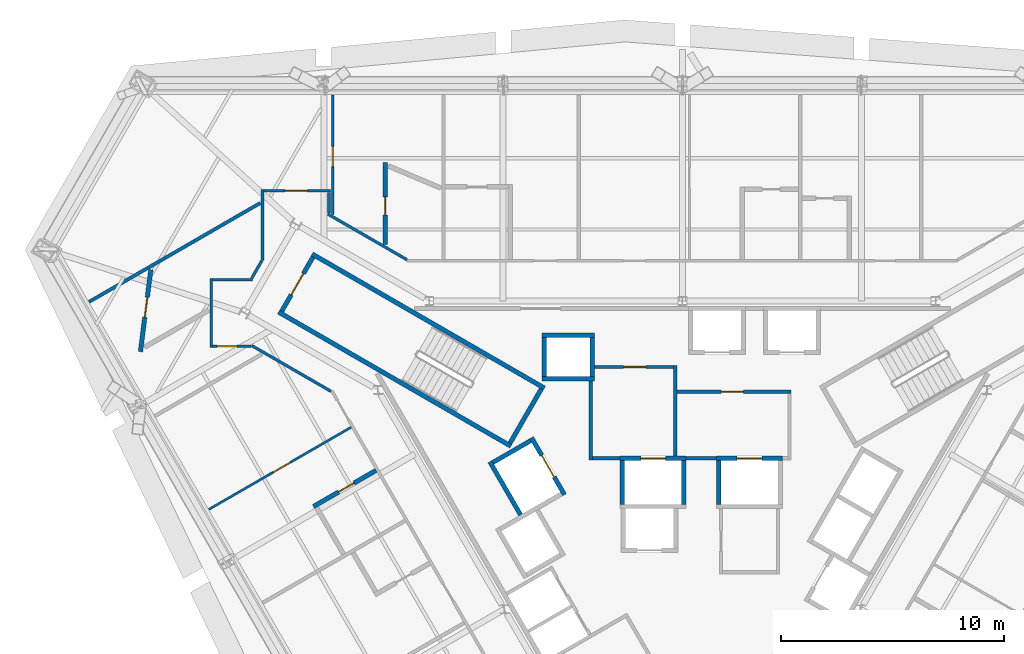
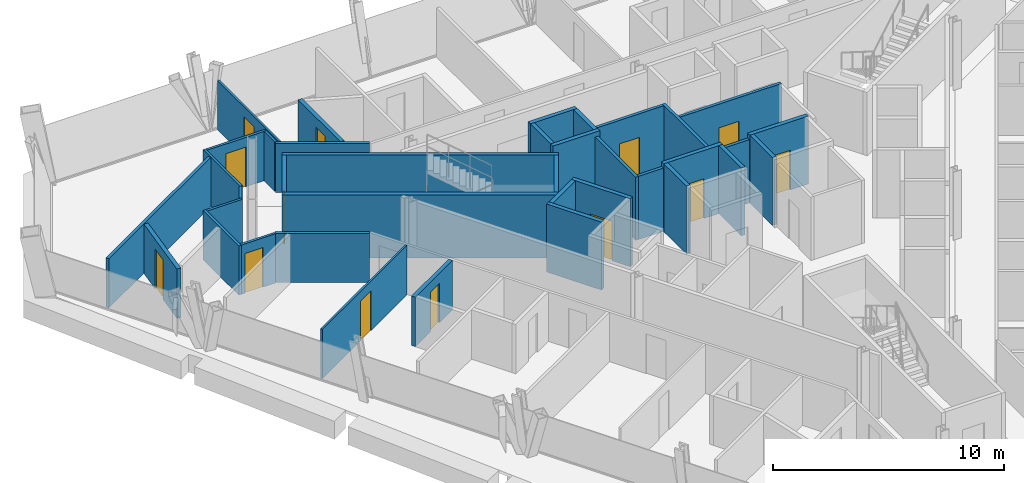
# One storey, part 11 of 15: 37 walls, 13 doors, 13 openings.
"""IFC4 building model written with IfcOpenShell, lengths in metres."""

import ifcopenshell
import ifcopenshell.guid

model = None  # the IFC model being written
_history = None  # IfcOwnerHistory: only IFC2X3 demands one
_inside = {}  # id of a spatial element -> (the spatial element, [elements in it])
_under = {}  # id of a project, library or spatial element -> (it, [spatial elements below it])
_declared = {}  # id of a project -> (the project, [libraries it declares])
_typed = {}  # id of a type object -> (the type object, [elements of that type])
_made_of = {}  # id of a material, layer set ... -> (it, [elements and type objects made of it])


def new_model(schema):
    """Start an empty IFC model of exactly this schema.

    Asked for "IFC4X3", IfcOpenShell would pick the latest addendum, in which some entities
    have other attributes; the version numbers below select the first issue.
    IFC2X3 requires an IfcOwnerHistory on every rooted entity: one is made here for all.
    """
    global model, _history
    if schema == "IFC4X3":
        model = ifcopenshell.file(schema_version=(4, 3, 0, 0))
    else:
        model = ifcopenshell.file(schema=schema)
    _inside.clear()
    _under.clear()
    _declared.clear()
    _typed.clear()
    _made_of.clear()
    _history = None
    if model.schema == "IFC2X3":
        org = make("IfcOrganization", Name="unknown")
        user = make(
            "IfcPersonAndOrganization",
            ThePerson=make("IfcPerson", FamilyName="unknown"),
            TheOrganization=org,
        )
        app = make(
            "IfcApplication",
            ApplicationDeveloper=org,
            Version="unknown",
            ApplicationFullName="unknown",
            ApplicationIdentifier="unknown",
        )
        _history = make(
            "IfcOwnerHistory",
            OwningUser=user,
            OwningApplication=app,
            ChangeAction="ADDED",
            CreationDate=0,
        )
    return model


def make(cls, **values):
    """One entity of the class cls with the attributes given. An attribute that is None is left unset."""
    return model.create_entity(
        cls, **{name: value for name, value in values.items() if value is not None}
    )


def rooted(cls, **values):
    """An entity with a GlobalId (a new one), such as an element, a storey or a relation."""
    return make(cls, GlobalId=ifcopenshell.guid.new(), OwnerHistory=_history, **values)


def si_unit(unit_type, name, prefix=None):
    """IfcSIUnit, for example si_unit("LENGTHUNIT", "METRE", prefix="MILLI")."""
    return make("IfcSIUnit", UnitType=unit_type, Prefix=prefix, Name=name)


def assignment(units):
    """IfcUnitAssignment: the units of a project."""
    return None if units is None else make("IfcUnitAssignment", Units=units)


def point(xyz):
    """IfcCartesianPoint."""
    return None if xyz is None else make("IfcCartesianPoint", Coordinates=xyz)


def direction(xyz):
    """IfcDirection."""
    return None if xyz is None else make("IfcDirection", DirectionRatios=xyz)


def frame(location, z_axis=None, x_axis=None):
    """IfcAxis2Placement3D, a coordinate frame: its origin and axes. An axis left out is left unset."""
    return make(
        "IfcAxis2Placement3D",
        Location=point(location),
        Axis=direction(z_axis),
        RefDirection=direction(x_axis),
    )


def frame_2d(location, x_axis=None):
    """IfcAxis2Placement2D, a coordinate frame in the plane: its origin and x axis."""
    return make(
        "IfcAxis2Placement2D", Location=point(location), RefDirection=direction(x_axis)
    )


def origin():
    """The frame at (0, 0, 0) with its axes left unset."""
    return frame((0.0, 0.0, 0.0))


def place(relative_to, where):
    """IfcLocalPlacement: puts the frame where relative to a parent placement (None: the world)."""
    return make(
        "IfcLocalPlacement", PlacementRelTo=relative_to, RelativePlacement=where
    )


def context(
    kind, dimensions, precision=None, world=None, true_north=None, identifier=None
):
    """IfcGeometricRepresentationContext, for example the 3D "Model" context."""
    return make(
        "IfcGeometricRepresentationContext",
        ContextIdentifier=identifier,
        ContextType=kind,
        CoordinateSpaceDimension=dimensions,
        Precision=precision,
        WorldCoordinateSystem=world,
        TrueNorth=true_north,
    )


def subcontext(parent, identifier, kind, view, scale=None):
    """IfcGeometricRepresentationSubContext, for example "Body" below "Model"."""
    return make(
        "IfcGeometricRepresentationSubContext",
        ContextIdentifier=identifier,
        ContextType=kind,
        ParentContext=parent,
        TargetScale=scale,
        TargetView=view,
    )


def project(units=None, contexts=None):
    """IfcProject with its units and contexts."""
    return rooted(
        "IfcProject",
        Name="project",
        RepresentationContexts=contexts,
        UnitsInContext=assignment(units),
    )


def spatial(cls, under=None, at=None, **own):
    """A site, building, storey or space (cls), placed at a placement, below another one or the project."""
    s = rooted(cls, ObjectPlacement=at, **own)
    if under is not None:
        _under.setdefault(under.id(), (under, []))[1].append(s)
    return s


def profile(cls, at=None, kind="AREA", **sizes):
    """A parametric profile (cls). Its sizes go by their IFC names, for example OverallWidth=200.0."""
    return make(cls, ProfileType=kind, Position=at, **sizes)


def rectangle(**sizes):
    """IfcRectangleProfileDef."""
    return profile("IfcRectangleProfileDef", **sizes)


def extrude(swept, where, along, depth):
    """IfcExtrudedAreaSolid: the profile swept, set in the frame where, extruded along a direction by depth."""
    return make(
        "IfcExtrudedAreaSolid",
        SweptArea=swept,
        Position=where,
        ExtrudedDirection=direction(along),
        Depth=depth,
    )


def shape(context_of_items, identifier, shape_type, items):
    """IfcShapeRepresentation: the items that make up one representation, for example the "Body"."""
    return make(
        "IfcShapeRepresentation",
        ContextOfItems=context_of_items,
        RepresentationIdentifier=identifier,
        RepresentationType=shape_type,
        Items=items,
    )


def material(Name=None, Category=None):
    """IfcMaterial."""
    return make("IfcMaterial", Name=Name, Category=Category)


def layer(
    of_material, thickness, ventilated=None, Name=None, Category=None, Priority=None
):
    """IfcMaterialLayer: one layer of a wall or slab, of a material (None: an air gap)."""
    return make(
        "IfcMaterialLayer",
        Material=of_material,
        LayerThickness=thickness,
        IsVentilated=ventilated,
        Name=Name,
        Category=Category,
        Priority=Priority,
    )


def layer_set(layers, Name=None):
    """IfcMaterialLayerSet."""
    return make("IfcMaterialLayerSet", MaterialLayers=layers, LayerSetName=Name)


def made_of(thing, what):
    """Note that an element or type object is made of a material, layer set ...; save() writes the relation."""
    if what is not None:
        _made_of.setdefault(what.id(), (what, []))[1].append(thing)
    return thing


def type_object(cls, material=None, **own):
    """A type object (cls), such as IfcWallType, which elements share."""
    return made_of(rooted(cls, **own), material)


def element(
    cls,
    number,
    at=None,
    inside=None,
    cuts=None,
    type_object=None,
    material=None,
    context=None,
    identifier="Body",
    shape_type=None,
    held_by="IfcProductDefinitionShape",
    body=None,
    shapes=None,
    **own,
):
    """One element of the class cls, such as IfcWall. Its Tag is "e" and its number.

    at: its placement. inside: the storey or other place that contains it. cuts: it is an
    opening in that element (IfcRelVoidsElement). A single representation is given by context,
    identifier, shape_type and body (its items); several are given by shapes. held_by: the class
    of the entity that holds the representations. save() writes the other relations.
    """
    e = rooted(cls, Tag="e%d" % number, ObjectPlacement=at, **own)
    if body is not None:
        shapes = [shape(context, identifier, shape_type, body)]
    if shapes is not None:
        e.Representation = make(held_by, Representations=shapes)
    if inside is not None:
        _inside.setdefault(inside.id(), (inside, []))[1].append(e)
    if cuts is not None:
        rooted(
            "IfcRelVoidsElement", RelatingBuildingElement=cuts, RelatedOpeningElement=e
        )
    if type_object is not None:
        _typed.setdefault(type_object.id(), (type_object, []))[1].append(e)
    return made_of(e, material)


def fill(opening, filler):
    """IfcRelFillsElement: the door or window that sits in an opening."""
    return rooted(
        "IfcRelFillsElement",
        RelatingOpeningElement=opening,
        RelatedBuildingElement=filler,
    )


def aggregate(whole, parts):
    """IfcRelAggregates: a whole, such as a stair, and the parts it consists of."""
    return rooted("IfcRelAggregates", RelatingObject=whole, RelatedObjects=parts)


def save(model, path):
    """Write the relations noted so far, then the file.

    IfcRelAggregates (storeys below a building ...), IfcRelContainedInSpatialStructure (elements
    in a storey), IfcRelDefinesByType, IfcRelAssociatesMaterial and IfcRelDeclares: one each for
    every whole, place, type object, material and project.
    """
    for whole, parts in _under.values():
        aggregate(whole, parts)
    for where, things in _inside.values():
        rooted(
            "IfcRelContainedInSpatialStructure",
            RelatedElements=things,
            RelatingStructure=where,
        )
    for kind, things in _typed.values():
        rooted("IfcRelDefinesByType", RelatedObjects=things, RelatingType=kind)
    for what, things in _made_of.values():
        rooted("IfcRelAssociatesMaterial", RelatedObjects=things, RelatingMaterial=what)
    for by, libraries in _declared.values():
        rooted("IfcRelDeclares", RelatingContext=by, RelatedDefinitions=libraries)
    model.write(path)


model = new_model("IFC4")

# Units and contexts
model_context = context("Model", 3, precision=1e-05, world=origin(), true_north=direction((0.0, 1.0)))
body_context = subcontext(model_context, "Body", "Model", "MODEL_VIEW")
ifc_project = project(units=[si_unit("LENGTHUNIT", "METRE"), si_unit("AREAUNIT", "SQUARE_METRE"), si_unit("VOLUMEUNIT", "CUBIC_METRE"), si_unit("PLANEANGLEUNIT", "RADIAN"), si_unit("MASSUNIT", "GRAM", prefix="KILO")], contexts=[model_context])

# Site, building, storey
site_placement = place(None, origin())
site = spatial("IfcSite", under=ifc_project, at=site_placement, CompositionType="ELEMENT")
building_placement = place(site_placement, origin())
building = spatial("IfcBuilding", under=site, at=building_placement, Name="Verrane Prism Tower", CompositionType="ELEMENT")
storey_placement = place(building_placement, frame((0.0, 0.0, 118.0)))
storey = spatial("IfcBuildingStorey", under=building, at=storey_placement, Name="L28", CompositionType="ELEMENT", Elevation=118.0)

# Wall, opening, door
ifc_material_1 = material(Name="Concrete C40/50", Category="concrete")
ifc_layer_1 = layer(ifc_material_1, 0.199951171875)
ifc_layer_set_1 = layer_set([ifc_layer_1], Name="CW-200 stair core wall concrete C40/50 3 h")
wall_type_1 = type_object("IfcWallType", Name="CW-200 stair core wall concrete C40/50 3 h", PredefinedType="PARTITIONING", material=ifc_layer_set_1)
wall_1_placement = place(storey_placement, frame((-16.533935546875, 11.162353515625, 0.0), z_axis=(0.0, 0.0, 1.0), x_axis=(-0.49998411664, -0.866034573852, 0.0)))
wall_1 = element("IfcWall", 1, at=wall_1_placement, inside=storey, type_object=wall_type_1, Name="Stair 2 enclosure wall", PredefinedType="PARTITIONING", context=body_context, shape_type="SweptSolid", body=[
    extrude(rectangle(XDim=2.7998046875, YDim=0.199951171875, at=frame_2d((1.39990234375, 0.0))), origin(), (0.0, 0.0, 1.0), 3.35009765625),
])
opening_1_placement = place(wall_1_placement, frame((0.849853515625, 0.0, 0.0)))
opening_1 = element("IfcOpeningElement", 2, at=opening_1_placement, cuts=wall_1, Name="Opening D27501", PredefinedType="OPENING", context=body_context, shape_type="SweptSolid", body=[
    extrude(rectangle(XDim=1.10009765625, YDim=2.10009765625, at=frame_2d((0.550048828125, 1.050048828125))), frame((0.0, 0.10986328125, 0.0), z_axis=(0.0, -1.0, 0.0), x_axis=(1.0, 0.0, 0.0)), (0.0, 0.0, 1.0), 0.219970703125),
])
ifc_material_2 = material(Name="Timber veneered door leaf", Category="wood")
door_type_1 = type_object("IfcDoorType", Name="DR-1100x2100 FD90 single leaf stair", OperationType="NOTDEFINED", PredefinedType="DOOR", material=ifc_material_2)
door_1_placement = place(opening_1_placement, origin())
door_1 = element("IfcDoor", 3, at=door_1_placement, inside=storey, type_object=door_type_1, Name="Stair 2 door", OperationType="SINGLE_SWING_RIGHT", OverallHeight=2.10009765625, OverallWidth=1.10009765625, PredefinedType="DOOR", context=body_context, shape_type="SweptSolid", body=[
    extrude(rectangle(XDim=1.10009765625, YDim=2.10009765625, at=frame_2d((0.550048828125, 1.050048828125))), frame((0.0, 0.02490234375, 0.0), z_axis=(0.0, -1.0, 0.0), x_axis=(1.0, 0.0, 0.0)), (0.0, 0.0, 1.0), 0.050048828125),
])
fill(opening_1, door_1)

# Walls
for number, where, z_axis, x_axis, name in (
    (4, (-7.67822265625, 2.700927734375, 0.0), (0.0, 0.0, 1.0), (-0.866026010844, 0.49999894854, 0.0), "Stair 2 enclosure wall"),
    (5, (-6.17822265625, 5.299072265625, 0.0), (0.0, 0.0, 1.0), (-0.866026010844, 0.49999894854, 0.0), "Stair 2 enclosure wall"),
):
    element("IfcWall", number, at=place(storey_placement, frame(where, z_axis=z_axis, x_axis=x_axis)), inside=storey, type_object=wall_type_1, Name=name, PredefinedType="PARTITIONING", context=body_context, shape_type="SweptSolid", body=[
        extrude(rectangle(XDim=12.0, YDim=0.199951171875, at=frame_2d((6.0, 0.0))), origin(), (0.0, 0.0, 1.0), 3.35009765625),
    ])
wall_2_placement = place(storey_placement, frame((-6.314697265625, 5.262451171875, 0.0), z_axis=(0.0, 0.0, 1.0), x_axis=(-0.500049511043, -0.865996816683, 0.0)))
element("IfcWall", 6, at=wall_2_placement, inside=storey, type_object=wall_type_1, Name="Stair 2 enclosure wall", PredefinedType="PARTITIONING", context=body_context, shape_type="SweptSolid", body=[
    extrude(rectangle(XDim=2.800048828125, YDim=0.199951171875, at=frame_2d((1.39990234375, 0.0))), origin(), (0.0, 0.0, 1.0), 3.35009765625),
])

# Wall, opening, door
ifc_material_3 = material(Name="Gypsum board shaft wall assembly", Category="other")
ifc_layer_2 = layer(ifc_material_3, 0.199951171875)
ifc_layer_set_2 = layer_set([ifc_layer_2], Name="HW-200 lift shaft wall 2 h")
wall_type_2 = type_object("IfcWallType", Name="HW-200 lift shaft wall 2 h", PredefinedType="PARTITIONING", material=ifc_layer_set_2)
wall_3_placement = place(storey_placement, frame((-2.784912109375, 2.14990234375, 0.0), z_axis=(0.0, 0.0, 1.0), x_axis=(1.0, 0.0, 0.0)))
wall_3 = element("IfcWall", 7, at=wall_3_placement, inside=storey, type_object=wall_type_2, Name="Lift shaft wall", PredefinedType="PARTITIONING", context=body_context, shape_type="SweptSolid", body=[
    extrude(rectangle(XDim=2.949951171875, YDim=0.199951171875, at=frame_2d((1.47509765625, 0.0))), origin(), (0.0, 0.0, 1.0), 3.60009765625),
])
opening_2_placement = place(wall_3_placement, frame((0.925048828125, 0.0, 0.0)))
opening_2 = element("IfcOpeningElement", 8, at=opening_2_placement, cuts=wall_3, Name="Opening D27508", PredefinedType="OPENING", context=body_context, shape_type="SweptSolid", body=[
    extrude(rectangle(XDim=1.10009765625, YDim=2.10009765625, at=frame_2d((0.550048828125, 1.050048828125))), frame((0.0, 0.10986328125, 0.0), z_axis=(0.0, -1.0, 0.0), x_axis=(1.0, 0.0, 0.0)), (0.0, 0.0, 1.0), 0.219970703125),
])
ifc_material_4 = material(Name="Stainless steel sliding landing door", Category="steel")
door_type_2 = type_object("IfcDoorType", Name="LD-1100x2100 lift landing door FD90 sliding", OperationType="NOTDEFINED", PredefinedType="DOOR", material=ifc_material_4)
door_2_placement = place(opening_2_placement, origin())
door_2 = element("IfcDoor", 9, at=door_2_placement, inside=storey, type_object=door_type_2, Name="Fire service lift 1 landing door", OperationType="SLIDING_TO_LEFT", OverallHeight=2.10009765625, OverallWidth=1.10009765625, PredefinedType="DOOR", context=body_context, shape_type="SweptSolid", body=[
    extrude(rectangle(XDim=1.10009765625, YDim=2.10009765625, at=frame_2d((0.550048828125, 1.050048828125))), frame((0.0, 0.02490234375, 0.0), z_axis=(0.0, -1.0, 0.0), x_axis=(1.0, 0.0, 0.0)), (0.0, 0.0, 1.0), 0.050048828125),
])
fill(opening_2, door_2)

wall_4_placement = place(storey_placement, frame((1.52490234375, 2.14990234375, 0.0), z_axis=(0.0, 0.0, 1.0), x_axis=(1.0, 0.0, 0.0)))
wall_4 = element("IfcWall", 10, at=wall_4_placement, inside=storey, type_object=wall_type_2, Name="Lift shaft wall", PredefinedType="PARTITIONING", context=body_context, shape_type="SweptSolid", body=[
    extrude(rectangle(XDim=2.9501953125, YDim=0.199951171875, at=frame_2d((1.47509765625, 0.0))), origin(), (0.0, 0.0, 1.0), 3.60009765625),
])
opening_3_placement = place(wall_4_placement, frame((0.925048828125, 0.0, 0.0)))
opening_3 = element("IfcOpeningElement", 11, at=opening_3_placement, cuts=wall_4, Name="Opening D27509", PredefinedType="OPENING", context=body_context, shape_type="SweptSolid", body=[
    extrude(rectangle(XDim=1.10009765625, YDim=2.10009765625, at=frame_2d((0.550048828125, 1.050048828125))), frame((0.0, 0.10986328125, 0.0), z_axis=(0.0, -1.0, 0.0), x_axis=(1.0, 0.0, 0.0)), (0.0, 0.0, 1.0), 0.219970703125),
])
door_3_placement = place(opening_3_placement, origin())
door_3 = element("IfcDoor", 12, at=door_3_placement, inside=storey, type_object=door_type_2, Name="Fire service lift 2 landing door", OperationType="SLIDING_TO_RIGHT", OverallHeight=2.10009765625, OverallWidth=1.10009765625, PredefinedType="DOOR", context=body_context, shape_type="SweptSolid", body=[
    extrude(rectangle(XDim=1.10009765625, YDim=2.10009765625, at=frame_2d((0.550048828125, 1.050048828125))), frame((0.0, 0.02490234375, 0.0), z_axis=(0.0, -1.0, 0.0), x_axis=(1.0, 0.0, 0.0)), (0.0, 0.0, 1.0), 0.050048828125),
])
fill(opening_3, door_3)

# Walls
for number, where, z_axis, x_axis, name in (
    (13, (-6.284912109375, 5.7099609375, 0.0), (0.0, 0.0, 1.0), (1.0, 0.0, 0.0), "Lift shaft wall"),
    (14, (-6.284912109375, 7.659912109375, 0.0), (0.0, 0.0, 1.0), (1.0, 0.0, 0.0), "Lift shaft wall"),
):
    element("IfcWall", number, at=place(storey_placement, frame(where, z_axis=z_axis, x_axis=x_axis)), inside=storey, type_object=wall_type_2, Name=name, PredefinedType="PARTITIONING", context=body_context, shape_type="SweptSolid", body=[
        extrude(rectangle(XDim=2.349853515625, YDim=0.199951171875, at=frame_2d((1.1748046875, 0.0))), origin(), (0.0, 0.0, 1.0), 3.60009765625),
    ])
for number, where, z_axis, x_axis, name in (
    (15, (-8.48046875, 1.968505859375, 0.0), (0.0, 0.0, 1.0), (0.866000020948, 0.500043961785, 0.0), "Lift shaft wall"),
    (16, (1.625, 0.10009765625, 0.0), (0.0, 0.0, 1.0), (0.0, 1.0, 0.0), "Lift shaft wall"),
    (17, (0.06494140625, 0.10009765625, 0.0), (0.0, 0.0, 1.0), (0.0, 1.0, 0.0), "Lift shaft wall"),
    (18, (-2.68505859375, 0.10009765625, 0.0), (0.0, 0.0, 1.0), (0.0, 1.0, 0.0), "Lift shaft wall"),
):
    element("IfcWall", number, at=place(storey_placement, frame(where, z_axis=z_axis, x_axis=x_axis)), inside=storey, type_object=wall_type_2, Name=name, PredefinedType="PARTITIONING", context=body_context, shape_type="SweptSolid", body=[
        extrude(rectangle(XDim=1.949951171875, YDim=0.199951171875, at=frame_2d((0.97509765625, 0.0))), origin(), (0.0, 0.0, 1.0), 3.60009765625),
    ])
for number, where, z_axis, x_axis, name in (
    (19, (-4.034912109375, 5.81005859375, 0.0), (0.0, 0.0, 1.0), (0.0, 1.0, 0.0), "Lift shaft wall"),
    (20, (-6.18505859375, 5.81005859375, 0.0), (0.0, 0.0, 1.0), (0.0, 1.0, 0.0), "Lift shaft wall"),
):
    element("IfcWall", number, at=place(storey_placement, frame(where, z_axis=z_axis, x_axis=x_axis)), inside=storey, type_object=wall_type_2, Name=name, PredefinedType="PARTITIONING", context=body_context, shape_type="SweptSolid", body=[
        extrude(rectangle(XDim=1.75, YDim=0.199951171875, at=frame_2d((0.875, 0.0))), origin(), (0.0, 0.0, 1.0), 3.60009765625),
    ])

# Wall, opening, door
wall_5_placement = place(storey_placement, frame((-5.280029296875, 0.525390625, 0.0), z_axis=(0.0, 0.0, 1.0), x_axis=(-0.500037662692, 0.866003658127, 0.0)))
wall_5 = element("IfcWall", 21, at=wall_5_placement, inside=storey, type_object=wall_type_2, Name="Lift shaft wall", PredefinedType="PARTITIONING", context=body_context, shape_type="SweptSolid", body=[
    extrude(rectangle(XDim=2.949951171875, YDim=0.199951171875, at=frame_2d((1.47509765625, 0.0))), origin(), (0.0, 0.0, 1.0), 3.60009765625),
])
opening_4_placement = place(wall_5_placement, frame((0.925048828125, 0.0, 0.0)))
opening_4 = element("IfcOpeningElement", 22, at=opening_4_placement, cuts=wall_5, Name="Opening D27510", PredefinedType="OPENING", context=body_context, shape_type="SweptSolid", body=[
    extrude(rectangle(XDim=1.10009765625, YDim=2.10009765625, at=frame_2d((0.550048828125, 1.050048828125))), frame((0.0, 0.10986328125, 0.0), z_axis=(0.0, -1.0, 0.0), x_axis=(1.0, 0.0, 0.0)), (0.0, 0.0, 1.0), 0.219970703125),
])
door_4_placement = place(opening_4_placement, origin())
door_4 = element("IfcDoor", 23, at=door_4_placement, inside=storey, type_object=door_type_2, Name="Service lift 1 landing door", OperationType="SLIDING_TO_LEFT", OverallHeight=2.10009765625, OverallWidth=1.10009765625, PredefinedType="DOOR", context=body_context, shape_type="SweptSolid", body=[
    extrude(rectangle(XDim=1.10009765625, YDim=2.10009765625, at=frame_2d((0.550048828125, 1.050048828125))), frame((0.0, 0.02490234375, 0.0), z_axis=(0.0, -1.0, 0.0), x_axis=(1.0, 0.0, 0.0)), (0.0, 0.0, 1.0), 0.050048828125),
])
fill(opening_4, door_4)

# Walls
wall_6_placement = place(storey_placement, frame((-7.241943359375, -0.37646484375, 0.0), z_axis=(0.0, 0.0, 1.0), x_axis=(-0.499996545922, 0.866027397988, 0.0)))
element("IfcWall", 24, at=wall_6_placement, inside=storey, type_object=wall_type_2, Name="Lift shaft wall", PredefinedType="PARTITIONING", context=body_context, shape_type="SweptSolid", body=[
    extrude(rectangle(XDim=2.75, YDim=0.199951171875, at=frame_2d((1.375, 0.0))), origin(), (0.0, 0.0, 1.0), 3.60009765625),
])
ifc_material_5 = material(Name="Gypsum board partition", Category="other")
ifc_layer_3 = layer(ifc_material_5, 0.14990234375)
ifc_layer_set_3 = layer_set([ifc_layer_3], Name="LF-150 firefighting lobby wall 1 h")
wall_type_3 = type_object("IfcWallType", Name="LF-150 firefighting lobby wall 1 h", PredefinedType="PARTITIONING", material=ifc_layer_set_3)
wall_7_placement = place(storey_placement, frame((-4.10009765625, 2.0849609375, 0.0), z_axis=(0.0, 0.0, 1.0), x_axis=(0.0, 1.0, 0.0)))
element("IfcWall", 25, at=wall_7_placement, inside=storey, type_object=wall_type_3, Name="Firefighting lobby wall LF1-001", PredefinedType="PARTITIONING", context=body_context, shape_type="SweptSolid", body=[
    extrude(rectangle(XDim=3.52294921875, YDim=0.14990234375, at=frame_2d((1.761474609375, 0.0))), origin(), (0.0, 0.0, 1.0), 3.35009765625),
])
wall_8_placement = place(storey_placement, frame((-4.02490234375, 2.159912109375, 0.0), z_axis=(0.0, 0.0, 1.0), x_axis=(1.0, 0.0, 0.0)))
element("IfcWall", 26, at=wall_8_placement, inside=storey, type_object=wall_type_3, Name="Firefighting lobby wall LF1-002", PredefinedType="PARTITIONING", context=body_context, shape_type="SweptSolid", body=[
    extrude(rectangle(XDim=1.23779296875, YDim=0.14990234375, at=frame_2d((0.618896484375, 0.0))), origin(), (0.0, 0.0, 1.0), 3.35009765625),
])

# Wall, opening, door
wall_9_placement = place(storey_placement, frame((-3.93310546875, 6.239990234375, 0.0), z_axis=(0.0, 0.0, 1.0), x_axis=(1.0, 0.0, 0.0)))
wall_9 = element("IfcWall", 27, at=wall_9_placement, inside=storey, type_object=wall_type_3, Name="Firefighting lobby wall LF1-003", PredefinedType="PARTITIONING", context=body_context, shape_type="SweptSolid", body=[
    extrude(rectangle(XDim=3.5380859375, YDim=0.14990234375, at=frame_2d((1.76904296875, 0.0))), origin(), (0.0, 0.0, 1.0), 3.35009765625),
])
opening_5_placement = place(wall_9_placement, frame((1.300048828125, 0.0, 0.0)))
opening_5 = element("IfcOpeningElement", 28, at=opening_5_placement, cuts=wall_9, Name="Opening D27515", PredefinedType="OPENING", context=body_context, shape_type="SweptSolid", body=[
    extrude(rectangle(XDim=1.0, YDim=2.10009765625, at=frame_2d((0.5, 1.050048828125))), frame((0.0, 0.0849609375, 0.0), z_axis=(0.0, -1.0, 0.0), x_axis=(1.0, 0.0, 0.0)), (0.0, 0.0, 1.0), 0.169921875),
])
ifc_material_6 = material(Name="Timber veneered door leaf", Category="wood")
door_type_3 = type_object("IfcDoorType", Name="DR-1000x2100 FD60 single leaf firefighting lobby", OperationType="NOTDEFINED", PredefinedType="DOOR", material=ifc_material_6)
door_5_placement = place(opening_5_placement, origin())
door_5 = element("IfcDoor", 29, at=door_5_placement, inside=storey, type_object=door_type_3, Name="Firefighting lobby door D27515", OperationType="SINGLE_SWING_LEFT", OverallHeight=2.10009765625, OverallWidth=1.0, PredefinedType="DOOR", context=body_context, shape_type="SweptSolid", body=[
    extrude(rectangle(XDim=1.0, YDim=2.10009765625, at=frame_2d((0.5, 1.050048828125))), frame((0.0, 0.02490234375, 0.0), z_axis=(0.0, -1.0, 0.0), x_axis=(1.0, 0.0, 0.0)), (0.0, 0.0, 1.0), 0.050048828125),
])
fill(opening_5, door_5)

# Wall
wall_10_placement = place(storey_placement, frame((-0.320068359375, 2.251953125, 0.0), z_axis=(0.0, 0.0, 1.0), x_axis=(0.0, 1.0, 0.0)))
element("IfcWall", 30, at=wall_10_placement, inside=storey, type_object=wall_type_3, Name="Firefighting lobby wall LF1-004", PredefinedType="PARTITIONING", context=body_context, shape_type="SweptSolid", body=[
    extrude(rectangle(XDim=4.06298828125, YDim=0.14990234375, at=frame_2d((2.031494140625, 0.0))), origin(), (0.0, 0.0, 1.0), 3.35009765625),
])

# Wall, opening, door
wall_11_placement = place(storey_placement, frame((-0.2451171875, 5.139892578125, 0.0), z_axis=(0.0, 0.0, 1.0), x_axis=(1.0, 0.0, 0.0)))
wall_11 = element("IfcWall", 31, at=wall_11_placement, inside=storey, type_object=wall_type_3, Name="Firefighting lobby wall LF1-005", PredefinedType="PARTITIONING", context=body_context, shape_type="SweptSolid", body=[
    extrude(rectangle(XDim=5.110107421875, YDim=0.14990234375, at=frame_2d((2.55517578125, 0.0))), origin(), (0.0, 0.0, 1.0), 3.35009765625),
])
opening_6_placement = place(wall_11_placement, frame((1.97509765625, 0.0, 0.0)))
opening_6 = element("IfcOpeningElement", 32, at=opening_6_placement, cuts=wall_11, Name="Opening D27516", PredefinedType="OPENING", context=body_context, shape_type="SweptSolid", body=[
    extrude(rectangle(XDim=1.0, YDim=2.10009765625, at=frame_2d((0.5, 1.050048828125))), frame((0.0, 0.0849609375, 0.0), z_axis=(0.0, -1.0, 0.0), x_axis=(1.0, 0.0, 0.0)), (0.0, 0.0, 1.0), 0.169921875),
])
door_6_placement = place(opening_6_placement, origin())
door_6 = element("IfcDoor", 33, at=door_6_placement, inside=storey, type_object=door_type_3, Name="Firefighting lobby door D27516", OperationType="SINGLE_SWING_RIGHT", OverallHeight=2.10009765625, OverallWidth=1.0, PredefinedType="DOOR", context=body_context, shape_type="SweptSolid", body=[
    extrude(rectangle(XDim=1.0, YDim=2.10009765625, at=frame_2d((0.5, 1.050048828125))), frame((0.0, 0.02490234375, 0.0), z_axis=(0.0, -1.0, 0.0), x_axis=(1.0, 0.0, 0.0)), (0.0, 0.0, 1.0), 0.050048828125),
])
fill(opening_6, door_6)

# Wall
wall_12_placement = place(storey_placement, frame((0.1669921875, 2.159912109375, 0.0), z_axis=(0.0, 0.0, 1.0), x_axis=(1.0, 0.0, 0.0)))
element("IfcWall", 34, at=wall_12_placement, inside=storey, type_object=wall_type_3, Name="Firefighting lobby wall LF1-006", PredefinedType="PARTITIONING", context=body_context, shape_type="SweptSolid", body=[
    extrude(rectangle(XDim=1.35595703125, YDim=0.14990234375, at=frame_2d((0.677978515625, 0.0))), origin(), (0.0, 0.0, 1.0), 3.35009765625),
])

# Wall, opening, door
ifc_material_7 = material(Name="Gypsum board partition", Category="other")
ifc_layer_4 = layer(ifc_material_7, 0.10009765625)
ifc_layer_set_4 = layer_set([ifc_layer_4], Name="PW-100 room partition")
wall_type_4 = type_object("IfcWallType", Name="PW-100 room partition", PredefinedType="PARTITIONING", material=ifc_layer_set_4)
wall_13_placement = place(storey_placement, frame((-14.826416015625, 3.545166015625, 0.0), z_axis=(0.0, 0.0, 1.0), x_axis=(-0.866063309627, -0.499934339407, 0.0)))
wall_13 = element("IfcWall", 35, at=wall_13_placement, inside=storey, type_object=wall_type_4, Name="Room partition 005", PredefinedType="PARTITIONING", context=body_context, shape_type="SweptSolid", body=[
    extrude(rectangle(XDim=7.34765625, YDim=0.10009765625, at=frame_2d((3.673828125, 0.0))), origin(), (0.0, 0.0, 1.0), 2.613037109375),
])
opening_7_placement = place(wall_13_placement, frame((3.143310546875, 0.0, 0.0)))
opening_7 = element("IfcOpeningElement", 36, at=opening_7_placement, cuts=wall_13, Name="Opening D27017", PredefinedType="OPENING", context=body_context, shape_type="SweptSolid", body=[
    extrude(rectangle(XDim=0.89990234375, YDim=2.10009765625, at=frame_2d((0.449951171875, 1.050048828125))), frame((0.0, 0.06005859375, 0.0), z_axis=(0.0, -1.0, 0.0), x_axis=(1.0, 0.0, 0.0)), (0.0, 0.0, 1.0), 0.1201171875),
])
ifc_material_8 = material(Name="Timber veneered door leaf", Category="wood")
door_type_4 = type_object("IfcDoorType", Name="DR-900x2100 single leaf inner", OperationType="NOTDEFINED", PredefinedType="DOOR", material=ifc_material_8)
door_7_placement = place(opening_7_placement, origin())
door_7 = element("IfcDoor", 37, at=door_7_placement, inside=storey, type_object=door_type_4, Name="Suite Living Room door", OperationType="SINGLE_SWING_RIGHT", OverallHeight=2.10009765625, OverallWidth=0.89990234375, PredefinedType="DOOR", context=body_context, shape_type="SweptSolid", body=[
    extrude(rectangle(XDim=0.89990234375, YDim=2.10009765625, at=frame_2d((0.449951171875, 1.050048828125))), frame((0.0, 0.02490234375, 0.0), z_axis=(0.0, -1.0, 0.0), x_axis=(1.0, 0.0, 0.0)), (0.0, 0.0, 1.0), 0.050048828125),
])
fill(opening_7, door_7)

wall_14_placement = place(storey_placement, frame((-15.65087890625, 18.4150390625, 0.0), z_axis=(0.0, 0.0, 1.0), x_axis=(0.0, -1.0, 0.0)))
wall_14 = element("IfcWall", 38, at=wall_14_placement, inside=storey, type_object=wall_type_4, Name="Room partition 020", PredefinedType="PARTITIONING", context=body_context, shape_type="SweptSolid", body=[
    extrude(rectangle(XDim=5.35205078125, YDim=0.10009765625, at=frame_2d((2.676025390625, 0.0))), origin(), (0.0, 0.0, 1.0), 2.613037109375),
])
opening_8_placement = place(wall_14_placement, frame((2.302978515625, 0.0, 0.0)))
opening_8 = element("IfcOpeningElement", 39, at=opening_8_placement, cuts=wall_14, Name="Opening D27012", PredefinedType="OPENING", context=body_context, shape_type="SweptSolid", body=[
    extrude(rectangle(XDim=0.89990234375, YDim=2.10009765625, at=frame_2d((0.449951171875, 1.050048828125))), frame((0.0, 0.06005859375, 0.0), z_axis=(0.0, -1.0, 0.0), x_axis=(1.0, 0.0, 0.0)), (0.0, 0.0, 1.0), 0.1201171875),
])
door_8_placement = place(opening_8_placement, origin())
door_8 = element("IfcDoor", 40, at=door_8_placement, inside=storey, type_object=door_type_4, Name="Suite Living Room door", OperationType="SINGLE_SWING_LEFT", OverallHeight=2.10009765625, OverallWidth=0.89990234375, PredefinedType="DOOR", context=body_context, shape_type="SweptSolid", body=[
    extrude(rectangle(XDim=0.89990234375, YDim=2.10009765625, at=frame_2d((0.449951171875, 1.050048828125))), frame((0.0, 0.02490234375, 0.0), z_axis=(0.0, -1.0, 0.0), x_axis=(1.0, 0.0, 0.0)), (0.0, 0.0, 1.0), 0.050048828125),
])
fill(opening_8, door_8)

# Wall
ifc_material_9 = material(Name="Gypsum board partition", Category="other")
ifc_layer_5 = layer(ifc_material_9, 0.125)
ifc_layer_set_5 = layer_set([ifc_layer_5], Name="PW-125 corridor wall 1 h")
wall_type_5 = type_object("IfcWallType", Name="PW-125 corridor wall 1 h", PredefinedType="PARTITIONING", material=ifc_layer_set_5)
wall_15_placement = place(storey_placement, frame((-21.0869140625, 7.110595703125, 0.0), z_axis=(0.0, 0.0, 1.0), x_axis=(0.0, 1.0, 0.0)))
element("IfcWall", 41, at=wall_15_placement, inside=storey, type_object=wall_type_5, Name="Corridor wall 006", PredefinedType="PARTITIONING", context=body_context, shape_type="SweptSolid", body=[
    extrude(rectangle(XDim=3.098876953125, YDim=0.125, at=frame_2d((1.54931640625, 0.0))), origin(), (0.0, 0.0, 1.0), 2.613037109375),
])

# Wall, opening, door
wall_16_placement = place(storey_placement, frame((-19.30908203125, 7.173095703125, 0.0), z_axis=(0.0, 0.0, 1.0), x_axis=(-1.0, 0.0, 0.0)))
wall_16 = element("IfcWall", 42, at=wall_16_placement, inside=storey, type_object=wall_type_5, Name="Corridor wall 007", PredefinedType="PARTITIONING", context=body_context, shape_type="SweptSolid", body=[
    extrude(rectangle(XDim=1.712890625, YDim=0.125, at=frame_2d((0.8564453125, 0.0))), origin(), (0.0, 0.0, 1.0), 2.613037109375),
])
opening_9_placement = place(wall_16_placement, frame((0.6279296875, 0.0, 0.0)))
opening_9 = element("IfcOpeningElement", 43, at=opening_9_placement, cuts=wall_16, Name="Opening D27014", PredefinedType="OPENING", context=body_context, shape_type="SweptSolid", body=[
    extrude(rectangle(XDim=0.89990234375, YDim=2.10009765625, at=frame_2d((0.449951171875, 1.050048828125))), frame((0.0, 0.072509765625, 0.0), z_axis=(0.0, -1.0, 0.0), x_axis=(1.0, 0.0, 0.0)), (0.0, 0.0, 1.0), 0.14501953125),
])
ifc_material_10 = material(Name="Timber veneered door leaf", Category="wood")
door_type_5 = type_object("IfcDoorType", Name="DR-900x2100 FD20 single leaf unit", OperationType="NOTDEFINED", PredefinedType="DOOR", material=ifc_material_10)
door_9_placement = place(opening_9_placement, origin())
door_9 = element("IfcDoor", 44, at=door_9_placement, inside=storey, type_object=door_type_5, Name="Accessible Guest Room door", OperationType="SINGLE_SWING_RIGHT", OverallHeight=2.10009765625, OverallWidth=0.89990234375, PredefinedType="DOOR", context=body_context, shape_type="SweptSolid", body=[
    extrude(rectangle(XDim=0.89990234375, YDim=2.10009765625, at=frame_2d((0.449951171875, 1.050048828125))), frame((0.0, 0.02490234375, 0.0), z_axis=(0.0, -1.0, 0.0), x_axis=(1.0, 0.0, 0.0)), (0.0, 0.0, 1.0), 0.050048828125),
])
fill(opening_9, door_9)

# Walls
wall_17_placement = place(storey_placement, frame((-21.02197265625, 10.14697265625, 0.0), z_axis=(0.0, 0.0, 1.0), x_axis=(1.0, 0.0, 0.0)))
element("IfcWall", 45, at=wall_17_placement, inside=storey, type_object=wall_type_5, Name="Corridor wall 008", PredefinedType="PARTITIONING", context=body_context, shape_type="SweptSolid", body=[
    extrude(rectangle(XDim=1.7705078125, YDim=0.125, at=frame_2d((0.88525390625, 0.0))), origin(), (0.0, 0.0, 1.0), 2.613037109375),
])
wall_18_placement = place(storey_placement, frame((-19.271484375, 10.220703125, 0.0), z_axis=(0.0, 0.0, 1.0), x_axis=(0.499881837328, 0.866093614288, 0.0)))
element("IfcWall", 46, at=wall_18_placement, inside=storey, type_object=wall_type_5, Name="Corridor wall 009", PredefinedType="PARTITIONING", context=body_context, shape_type="SweptSolid", body=[
    extrude(rectangle(XDim=0.884033203125, YDim=0.125, at=frame_2d((0.44189453125, 0.0))), origin(), (0.0, 0.0, 1.0), 2.613037109375),
])
wall_19_placement = place(storey_placement, frame((-19.278076171875, 7.204345703125, 0.0), z_axis=(0.0, 0.0, 1.0), x_axis=(0.865992261418, -0.50005739987, 0.0)))
element("IfcWall", 47, at=wall_19_placement, inside=storey, type_object=wall_type_5, Name="Corridor wall 010", PredefinedType="PARTITIONING", context=body_context, shape_type="SweptSolid", body=[
    extrude(rectangle(XDim=4.10107421875, YDim=0.125, at=frame_2d((2.050537109375, 0.0))), origin(), (0.0, 0.0, 1.0), 2.613037109375),
])
wall_20_placement = place(storey_placement, frame((-18.787109375, 10.99755859375, 0.0), z_axis=(0.0, 0.0, 1.0), x_axis=(0.0, 1.0, 0.0)))
element("IfcWall", 48, at=wall_20_placement, inside=storey, type_object=wall_type_5, Name="Corridor wall 011", PredefinedType="PARTITIONING", context=body_context, shape_type="SweptSolid", body=[
    extrude(rectangle(XDim=3.19189453125, YDim=0.125, at=frame_2d((1.595947265625, 0.0))), origin(), (0.0, 0.0, 1.0), 2.613037109375),
])

# Wall, opening, door
wall_21_placement = place(storey_placement, frame((-18.721923828125, 14.126953125, 0.0), z_axis=(0.0, 0.0, 1.0), x_axis=(1.0, 0.0, 0.0)))
wall_21 = element("IfcWall", 49, at=wall_21_placement, inside=storey, type_object=wall_type_5, Name="Corridor wall 012", PredefinedType="PARTITIONING", context=body_context, shape_type="SweptSolid", body=[
    extrude(rectangle(XDim=2.971435546875, YDim=0.125, at=frame_2d((1.48583984375, 0.0))), origin(), (0.0, 0.0, 1.0), 2.613037109375),
])
opening_10_placement = place(wall_21_placement, frame((0.93505859375, 0.0, 0.0)))
opening_10 = element("IfcOpeningElement", 50, at=opening_10_placement, cuts=wall_21, Name="Opening D27011", PredefinedType="OPENING", context=body_context, shape_type="SweptSolid", body=[
    extrude(rectangle(XDim=1.0, YDim=2.10009765625, at=frame_2d((0.5, 1.050048828125))), frame((0.0, 0.072509765625, 0.0), z_axis=(0.0, -1.0, 0.0), x_axis=(1.0, 0.0, 0.0)), (0.0, 0.0, 1.0), 0.14501953125),
])
ifc_material_11 = material(Name="Timber veneered door leaf", Category="wood")
door_type_6 = type_object("IfcDoorType", Name="DR-1000x2100 FD20 single leaf unit", OperationType="NOTDEFINED", PredefinedType="DOOR", material=ifc_material_11)
door_10_placement = place(opening_10_placement, origin())
door_10 = element("IfcDoor", 51, at=door_10_placement, inside=storey, type_object=door_type_6, Name="Suite Living Room door", OperationType="SINGLE_SWING_LEFT", OverallHeight=2.10009765625, OverallWidth=1.0, PredefinedType="DOOR", context=body_context, shape_type="SweptSolid", body=[
    extrude(rectangle(XDim=1.0, YDim=2.10009765625, at=frame_2d((0.5, 1.050048828125))), frame((0.0, 0.02490234375, 0.0), z_axis=(0.0, -1.0, 0.0), x_axis=(1.0, 0.0, 0.0)), (0.0, 0.0, 1.0), 0.050048828125),
])
fill(opening_10, door_10)

# Walls
wall_22_placement = place(storey_placement, frame((-15.81298828125, 13.139892578125, 0.0), z_axis=(0.0, 0.0, 1.0), x_axis=(0.0, 1.0, 0.0)))
element("IfcWall", 52, at=wall_22_placement, inside=storey, type_object=wall_type_5, Name="Corridor wall 017", PredefinedType="PARTITIONING", context=body_context, shape_type="SweptSolid", body=[
    extrude(rectangle(XDim=0.922119140625, YDim=0.125, at=frame_2d((0.4609375, 0.0))), origin(), (0.0, 0.0, 1.0), 2.613037109375),
])
wall_23_placement = place(storey_placement, frame((-15.8671875, 13.086181640625, 0.0), z_axis=(0.0, 0.0, 1.0), x_axis=(0.866070231021, -0.499922348909, 0.0)))
element("IfcWall", 53, at=wall_23_placement, inside=storey, type_object=wall_type_5, Name="Corridor wall 018", PredefinedType="PARTITIONING", context=body_context, shape_type="SweptSolid", body=[
    extrude(rectangle(XDim=4.088134765625, YDim=0.125, at=frame_2d((2.0439453125, 0.0))), origin(), (0.0, 0.0, 1.0), 2.613037109375),
])
ifc_material_12 = material(Name="Gypsum board partition", Category="other")
ifc_layer_6 = layer(ifc_material_12, 0.14990234375)
ifc_layer_set_6 = layer_set([ifc_layer_6], Name="PW-150 demising wall 1 h")
wall_type_6 = type_object("IfcWallType", Name="PW-150 demising wall 1 h", PredefinedType="PARTITIONING", material=ifc_layer_set_6)
wall_24_placement = place(storey_placement, frame((-26.5517578125, 9.158935546875, 0.0), z_axis=(0.0, 0.0, 1.0), x_axis=(0.866024349092, 0.500001826776, 0.0)))
element("IfcWall", 54, at=wall_24_placement, inside=storey, type_object=wall_type_6, Name="Demising wall 001", PredefinedType="PARTITIONING", context=body_context, shape_type="SweptSolid", body=[
    extrude(rectangle(XDim=8.8505859375, YDim=0.14990234375, at=frame_2d((4.42529296875, 0.0))), origin(), (0.0, 0.0, 1.0), 2.613037109375),
])

# Wall, opening, door
ifc_material_13 = material(Name="Gypsum board partition", Category="other")
ifc_layer_7 = layer(ifc_material_13, 0.199951171875)
ifc_layer_set_7 = layer_set([ifc_layer_7], Name="PW-200 plumbing wall")
wall_type_7 = type_object("IfcWallType", Name="PW-200 plumbing wall", PredefinedType="PARTITIONING", material=ifc_layer_set_7)
wall_25_placement = place(storey_placement, frame((-23.790283203125, 10.59619140625, 0.0), z_axis=(0.0, 0.0, 1.0), x_axis=(-0.125611452306, -0.992079514479, 0.0)))
wall_25 = element("IfcWall", 55, at=wall_25_placement, inside=storey, type_object=wall_type_7, Name="Plumbing wall 002", PredefinedType="PARTITIONING", context=body_context, shape_type="SweptSolid", body=[
    extrude(rectangle(XDim=3.69677734375, YDim=0.199951171875, at=frame_2d((1.848388671875, 0.0))), origin(), (0.0, 0.0, 1.0), 2.613037109375),
])
opening_11_placement = place(wall_25_placement, frame((1.24658203125, 0.0, 0.0)))
opening_11 = element("IfcOpeningElement", 56, at=opening_11_placement, cuts=wall_25, Name="Opening D27015", PredefinedType="OPENING", context=body_context, shape_type="SweptSolid", body=[
    extrude(rectangle(XDim=0.89990234375, YDim=2.10009765625, at=frame_2d((0.449951171875, 1.050048828125))), frame((0.0, 0.10986328125, 0.0), z_axis=(0.0, -1.0, 0.0), x_axis=(1.0, 0.0, 0.0)), (0.0, 0.0, 1.0), 0.219970703125),
])
ifc_material_14 = material(Name="Timber veneered door leaf", Category="wood")
door_type_7 = type_object("IfcDoorType", Name="DR-900x2100 single leaf bath", OperationType="NOTDEFINED", PredefinedType="DOOR", material=ifc_material_14)
door_11_placement = place(opening_11_placement, origin())
door_11 = element("IfcDoor", 57, at=door_11_placement, inside=storey, type_object=door_type_7, Name="En-Suite door", OperationType="SINGLE_SWING_RIGHT", OverallHeight=2.10009765625, OverallWidth=0.89990234375, PredefinedType="DOOR", context=body_context, shape_type="SweptSolid", body=[
    extrude(rectangle(XDim=0.89990234375, YDim=2.10009765625, at=frame_2d((0.449951171875, 1.050048828125))), frame((0.0, 0.02490234375, 0.0), z_axis=(0.0, -1.0, 0.0), x_axis=(1.0, 0.0, 0.0)), (0.0, 0.0, 1.0), 0.050048828125),
])
fill(opening_11, door_11)

wall_26_placement = place(storey_placement, frame((-13.71240234375, 1.6162109375, 0.0), z_axis=(0.0, 0.0, 1.0), x_axis=(-0.866022073929, -0.500005767435, 0.0)))
wall_26 = element("IfcWall", 58, at=wall_26_placement, inside=storey, type_object=wall_type_7, Name="Plumbing wall 015", PredefinedType="PARTITIONING", context=body_context, shape_type="SweptSolid", body=[
    extrude(rectangle(XDim=3.232421875, YDim=0.199951171875, at=frame_2d((1.6162109375, 0.0))), origin(), (0.0, 0.0, 1.0), 2.613037109375),
])
opening_12_placement = place(wall_26_placement, frame((1.13232421875, 0.0, 0.0)))
opening_12 = element("IfcOpeningElement", 59, at=opening_12_placement, cuts=wall_26, Name="Opening D27018", PredefinedType="OPENING", context=body_context, shape_type="SweptSolid", body=[
    extrude(rectangle(XDim=0.800048828125, YDim=2.10009765625, at=frame_2d((0.39990234375, 1.050048828125))), frame((0.0, 0.10986328125, 0.0), z_axis=(0.0, -1.0, 0.0), x_axis=(1.0, 0.0, 0.0)), (0.0, 0.0, 1.0), 0.219970703125),
])
ifc_material_15 = material(Name="Timber veneered door leaf", Category="wood")
door_type_8 = type_object("IfcDoorType", Name="DR-800x2100 single leaf bath", OperationType="NOTDEFINED", PredefinedType="DOOR", material=ifc_material_15)
door_12_placement = place(opening_12_placement, origin())
door_12 = element("IfcDoor", 60, at=door_12_placement, inside=storey, type_object=door_type_8, Name="En-Suite door", OperationType="SINGLE_SWING_LEFT", OverallHeight=2.10009765625, OverallWidth=0.800048828125, PredefinedType="DOOR", context=body_context, shape_type="SweptSolid", body=[
    extrude(rectangle(XDim=0.800048828125, YDim=2.10009765625, at=frame_2d((0.39990234375, 1.050048828125))), frame((0.0, 0.02490234375, 0.0), z_axis=(0.0, -1.0, 0.0), x_axis=(1.0, 0.0, 0.0)), (0.0, 0.0, 1.0), 0.050048828125),
])
fill(opening_12, door_12)

wall_27_placement = place(storey_placement, frame((-13.294921875, 15.39697265625, 0.0), z_axis=(0.0, 0.0, 1.0), x_axis=(0.0, -1.0, 0.0)))
wall_27 = element("IfcWall", 61, at=wall_27_placement, inside=storey, type_object=wall_type_7, Name="Plumbing wall 024", PredefinedType="PARTITIONING", context=body_context, shape_type="SweptSolid", body=[
    extrude(rectangle(XDim=3.6650390625, YDim=0.199951171875, at=frame_2d((1.83251953125, 0.0))), origin(), (0.0, 0.0, 1.0), 2.613037109375),
])
opening_13_placement = place(wall_27_placement, frame((1.544921875, 0.0, 0.0)))
opening_13 = element("IfcOpeningElement", 62, at=opening_13_placement, cuts=wall_27, Name="Opening D27013", PredefinedType="OPENING", context=body_context, shape_type="SweptSolid", body=[
    extrude(rectangle(XDim=0.800048828125, YDim=2.10009765625, at=frame_2d((0.39990234375, 1.050048828125))), frame((0.0, 0.10986328125, 0.0), z_axis=(0.0, -1.0, 0.0), x_axis=(1.0, 0.0, 0.0)), (0.0, 0.0, 1.0), 0.219970703125),
])
door_13_placement = place(opening_13_placement, origin())
door_13 = element("IfcDoor", 63, at=door_13_placement, inside=storey, type_object=door_type_8, Name="En-Suite door", OperationType="SINGLE_SWING_RIGHT", OverallHeight=2.10009765625, OverallWidth=0.800048828125, PredefinedType="DOOR", context=body_context, shape_type="SweptSolid", body=[
    extrude(rectangle(XDim=0.800048828125, YDim=2.10009765625, at=frame_2d((0.39990234375, 1.050048828125))), frame((0.0, 0.02490234375, 0.0), z_axis=(0.0, -1.0, 0.0), x_axis=(1.0, 0.0, 0.0)), (0.0, 0.0, 1.0), 0.050048828125),
])
fill(opening_13, door_13)

save(model, "model.ifc")
